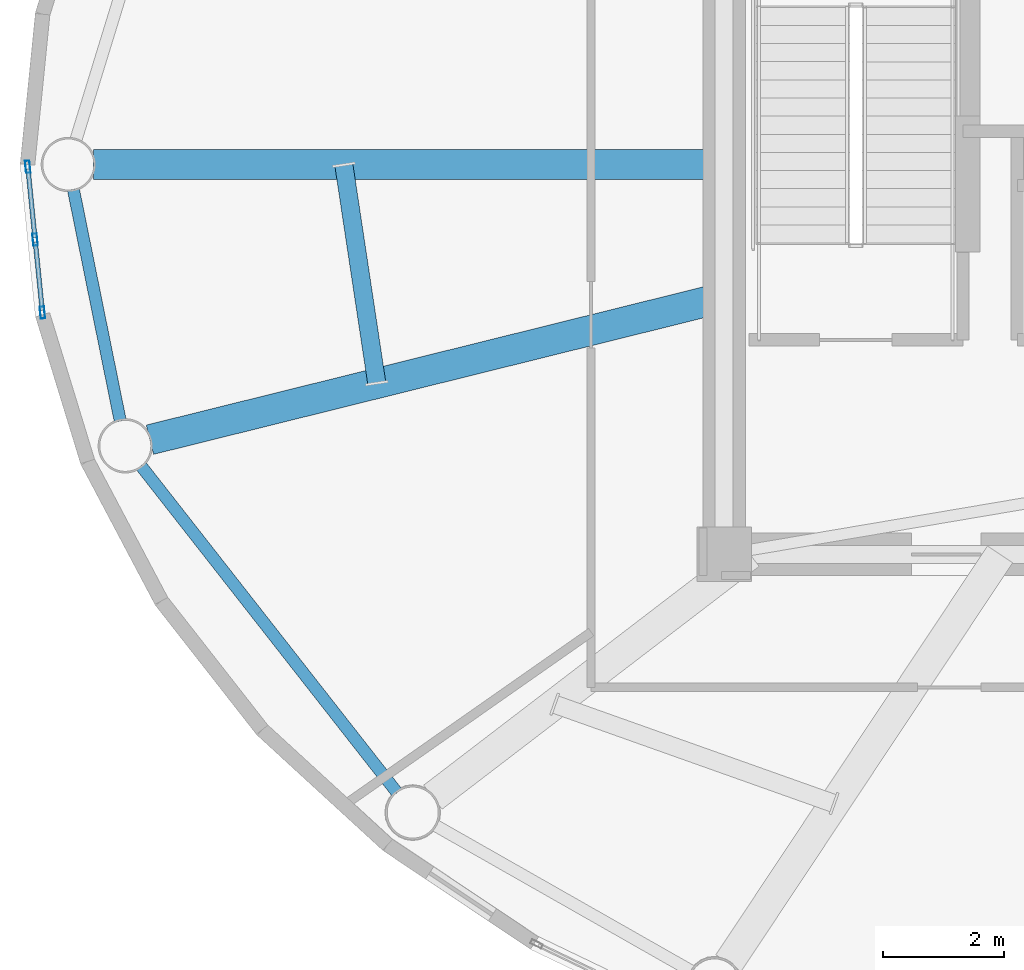
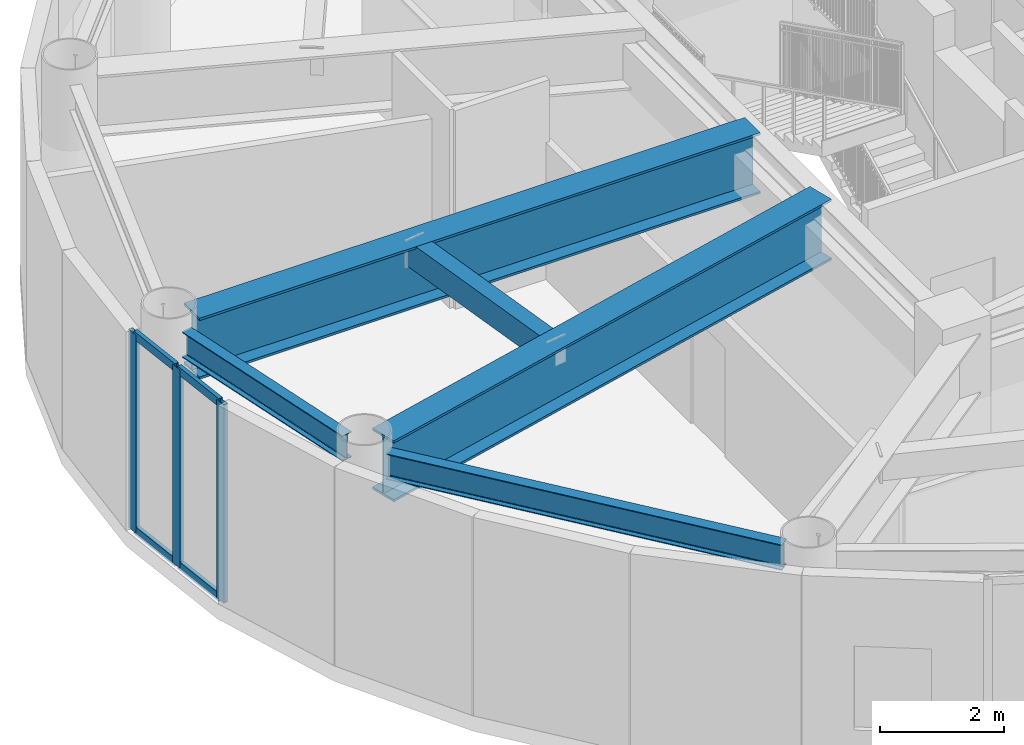
# One storey, part 4 of 26: 7 members, 5 beams, 1 element without a shape of its own.
"""IFC4 building model written with IfcOpenShell, lengths in metres."""

from ifc_helpers import new_model, si_unit, direction, frame, origin, origin_2d, place, context, subcontext, project, spatial, hollow_rectangle, i_section, extrude, source, transform, mapped, material, layer, layer_set, material_profile, profile_set, type_object, element, aggregate, save


model = new_model("IFC4")

# Units and contexts
model_context = context("Model", 3, precision=1e-05, world=origin(), true_north=direction((0.0, 1.0)))
body_context = subcontext(model_context, "Body", "Model", "MODEL_VIEW")
ifc_project = project(units=[si_unit("LENGTHUNIT", "METRE"), si_unit("AREAUNIT", "SQUARE_METRE"), si_unit("VOLUMEUNIT", "CUBIC_METRE"), si_unit("PLANEANGLEUNIT", "RADIAN"), si_unit("MASSUNIT", "GRAM", prefix="KILO")], contexts=[model_context])

# Site, building, storey
site_placement = place(None, origin())
site = spatial("IfcSite", under=ifc_project, at=site_placement, CompositionType="ELEMENT")
building_placement = place(site_placement, origin())
building = spatial("IfcBuilding", under=site, at=building_placement, Name="Linh Dai School and Residence Tower", CompositionType="ELEMENT")
storey_placement = place(building_placement, frame((0.0, 0.0, 346.800048828125)))
storey = spatial("IfcBuildingStorey", under=building, at=storey_placement, Name="L86", CompositionType="ELEMENT", Elevation=346.800048828125)

# Beams
ifc_material_1 = material(Name="Structural Steel S355JR", Category="steel")
ifc_material_profile_1 = material_profile(ifc_material_1, hollow_rectangle(XDim=0.300048828125, YDim=0.5, WallThickness=0.01611328125, at=origin_2d()), Name="RHS 500x300x16")
ifc_profile_set_1 = profile_set([ifc_material_profile_1], Name="Structural Steel S355JR")
beam_type_1 = type_object("IfcBeamType", Name="BM-BX5", PredefinedType="BEAM", material=ifc_profile_set_1)
beam_1_placement = place(storey_placement, frame((20.857666015625, 26.9951171875, 3.64990234375), z_axis=(0.149229268392, -0.988802622092, 0.0), x_axis=(0.988802622092, 0.149229268392, 0.0)))
element("IfcBeam", 1, at=beam_1_placement, inside=storey, type_object=beam_type_1, Name="L86 Secondary Circumferential Floor Beam 05", PredefinedType="BEAM", context=body_context, shape_type="SweptSolid", body=[
    extrude(hollow_rectangle(XDim=0.300048828125, YDim=0.5, WallThickness=0.01611328125, at=origin_2d()), origin(), (0.0, 0.0, 1.0), 3.6533203125),
])
ifc_material_profile_2 = material_profile(ifc_material_1, i_section(OverallWidth=0.199951171875, OverallDepth=0.5, WebThickness=0.01025390625, FlangeThickness=0.01611328125, FilletRadius=0.02099609375, at=origin_2d()), Name="IPE 500")
ifc_profile_set_2 = profile_set([ifc_material_profile_2], Name="Structural Steel S355JR")
beam_type_2 = type_object("IfcBeamType", Name="BM-RB50", PredefinedType="BEAM", material=ifc_profile_set_2)
beam_2_placement = place(storey_placement, frame((16.38330078125, 26.58837890625, 3.64990234375), z_axis=(0.198409502721, -0.980119211744, 0.0), x_axis=(0.980119211744, 0.198409502721, 0.0)))
element("IfcBeam", 2, at=beam_2_placement, inside=storey, type_object=beam_type_2, Name="L86 Perimeter Elliptical Ring Beam 09", PredefinedType="BEAM", context=body_context, shape_type="SweptSolid", body=[
    extrude(i_section(OverallWidth=0.199951171875, OverallDepth=0.5, WebThickness=0.01025390625, FlangeThickness=0.01611328125, FilletRadius=0.02099609375, at=origin_2d()), origin(), (0.0, 0.0, 1.0), 3.9091796875),
])
beam_3_placement = place(storey_placement, frame((17.501220703125, 22.0146484375, 3.64990234375), z_axis=(0.616844770958, -0.787084829318, 0.0), x_axis=(0.787084829318, 0.616844770958, 0.0)))
element("IfcBeam", 3, at=beam_3_placement, inside=storey, type_object=beam_type_2, Name="L86 Perimeter Elliptical Ring Beam 10", PredefinedType="BEAM", context=body_context, shape_type="SweptSolid", body=[
    extrude(i_section(OverallWidth=0.199951171875, OverallDepth=0.5, WebThickness=0.01025390625, FlangeThickness=0.01611328125, FilletRadius=0.02099609375, at=origin_2d()), origin(), (0.0, 0.0, 1.0), 6.869384765625),
])
ifc_material_profile_3 = material_profile(ifc_material_1, i_section(OverallWidth=0.5, OverallDepth=1.199951171875, WebThickness=0.02392578125, FlangeThickness=0.044921875, at=origin_2d()), Name="PG 1200x500x24x45")
ifc_profile_set_3 = profile_set([ifc_material_profile_3], Name="Structural Steel S355JR")
beam_type_3 = type_object("IfcBeamType", Name="BM-TG12", PredefinedType="BEAM", material=ifc_profile_set_3)
beam_4_placement = place(storey_placement, frame((27.14990234375, 27.0, 3.300048828125), z_axis=(-1.0, 0.0, 0.0), x_axis=(0.0, -1.0, 0.0)))
element("IfcBeam", 4, at=beam_4_placement, inside=storey, type_object=beam_type_3, Name="L86 Primary Radial Floor Girder 09", PredefinedType="BEAM", context=body_context, shape_type="SweptSolid", body=[
    extrude(i_section(OverallWidth=0.5, OverallDepth=1.199951171875, WebThickness=0.02392578125, FlangeThickness=0.044921875, at=origin_2d()), origin(), (0.0, 0.0, 1.0), 10.429931640625),
])
beam_5_placement = place(storey_placement, frame((27.14990234375, 24.803955078125, 3.300048828125), z_axis=(-0.970563583495, -0.24084503398, 0.0), x_axis=(0.24084503398, -0.970563583495, 0.0)))
element("IfcBeam", 5, at=beam_5_placement, inside=storey, type_object=beam_type_3, Name="L86 Primary Radial Floor Girder 10", PredefinedType="BEAM", context=body_context, shape_type="SweptSolid", body=[
    extrude(i_section(OverallWidth=0.5, OverallDepth=1.199951171875, WebThickness=0.02392578125, FlangeThickness=0.044921875, at=origin_2d()), origin(), (0.0, 0.0, 1.0), 9.7880859375),
])

# Curtain wall, members
ifc_material_2 = material(Name="Aluminium Anodised Curtain Wall", Category="aluminium")
ifc_layer = layer(ifc_material_2, 0.199951171875)
ifc_layer_set = layer_set([ifc_layer], Name="Aluminium Anodised Curtain Wall")
curtain_wall_type = type_object("IfcCurtainWallType", Name="CW-SYS-6", PredefinedType="USERDEFINED", material=ifc_layer_set)
curtain_wall_placement = place(storey_placement, origin())
curtain_wall = element("IfcCurtainWall", 6, at=curtain_wall_placement, inside=storey, type_object=curtain_wall_type, Name="L86 CW6 Curtain Wall 21", ObjectType="UNITISED CURTAIN WALL", PredefinedType="USERDEFINED")
ifc_material_3 = material(Name="Aluminium Alloy 6063-T6", Category="aluminium")
ifc_material_profile_4 = material_profile(ifc_material_3, hollow_rectangle(XDim=0.074951171875, YDim=0.199951171875, WallThickness=0.00390625, at=origin_2d()), Name="RHS 200x75x4")
ifc_profile_set_4 = profile_set([ifc_material_profile_4], Name="Aluminium Alloy 6063-T6")
member_type_1 = type_object("IfcMemberType", Name="CW-SYS-6-MUL", PredefinedType="MULLION", material=ifc_profile_set_4)
shared_shape_1 = source(origin(), body_context, "Body", "SweptSolid", [
    extrude(hollow_rectangle(XDim=0.074951171875, YDim=0.199951171875, WallThickness=0.00390625, at=origin_2d()), origin(), (0.0, 0.0, 1.0), 3.89990234375),
])
member_1_placement = place(storey_placement, frame((15.87109375, 24.550537109375, 0.0), z_axis=(0.0, 0.0, 1.0), x_axis=(-0.994988264886, -0.099991763355, 0.0)))
member_1 = element("IfcMember", 7, at=member_1_placement, type_object=member_type_1, Name="CW6 mullion 1", PredefinedType="MULLION", context=body_context, shape_type="MappedRepresentation", body=[
    mapped(shared_shape_1, transform((0.0, 0.0, 0.0), x_axis=(1.0, 0.0, 0.0), y_axis=(0.0, 1.0, 0.0), z_axis=(0.0, 0.0, 1.0), scale=1.0)),
])
member_2_placement = place(storey_placement, frame((15.75, 25.756591796875, 0.0), z_axis=(0.0, 0.0, 1.0), x_axis=(-0.994988264886, -0.099991763355, 0.0)))
member_2 = element("IfcMember", 8, at=member_2_placement, type_object=member_type_1, Name="CW6 mullion 2", PredefinedType="MULLION", context=body_context, shape_type="MappedRepresentation", body=[
    mapped(shared_shape_1, transform((0.0, 0.0, 0.0), x_axis=(1.0, 0.0, 0.0), y_axis=(0.0, 1.0, 0.0), z_axis=(0.0, 0.0, 1.0), scale=1.0)),
])
member_3_placement = place(storey_placement, frame((15.628662109375, 26.962646484375, 0.0), z_axis=(0.0, 0.0, 1.0), x_axis=(-0.994988264886, -0.099991763355, 0.0)))
member_3 = element("IfcMember", 9, at=member_3_placement, type_object=member_type_1, Name="CW6 mullion 3", PredefinedType="MULLION", context=body_context, shape_type="MappedRepresentation", body=[
    mapped(shared_shape_1, transform((0.0, 0.0, 0.0), x_axis=(1.0, 0.0, 0.0), y_axis=(0.0, 1.0, 0.0), z_axis=(0.0, 0.0, 1.0), scale=1.0)),
])
ifc_material_profile_5 = material_profile(ifc_material_3, hollow_rectangle(XDim=0.074951171875, YDim=0.159912109375, WallThickness=0.00390625, at=origin_2d()), Name="RHS 160x75x4")
ifc_profile_set_5 = profile_set([ifc_material_profile_5], Name="Aluminium Alloy 6063-T6")
member_type_2 = type_object("IfcMemberType", Name="CW-SYS-6-TRN", PredefinedType="USERDEFINED", material=ifc_profile_set_5)
shared_shape_2 = source(origin(), body_context, "Body", "SweptSolid", [
    extrude(hollow_rectangle(XDim=0.074951171875, YDim=0.159912109375, WallThickness=0.00390625, at=origin_2d()), origin(), (0.0, 0.0, 1.0), 1.136962890625),
])
member_4_placement = place(storey_placement, frame((15.867431640625, 24.587890625, 0.037353515625), z_axis=(-0.100056431161, 0.994981763945, 0.0), x_axis=(-0.994981763945, -0.100056431161, 0.0)))
member_4 = element("IfcMember", 10, at=member_4_placement, type_object=member_type_2, Name="CW6 transom 1.1", ObjectType="TRANSOM", PredefinedType="USERDEFINED", context=body_context, shape_type="MappedRepresentation", body=[
    mapped(shared_shape_2, transform((0.0, 0.0, 0.0), x_axis=(1.0, 0.0, 0.0), y_axis=(0.0, 1.0, 0.0), z_axis=(0.0, 0.0, 1.0), scale=1.0)),
])
member_5_placement = place(storey_placement, frame((15.867431640625, 24.587890625, 3.862548828125), z_axis=(-0.100056431161, 0.994981763945, 0.0), x_axis=(-0.994981763945, -0.100056431161, 0.0)))
member_5 = element("IfcMember", 11, at=member_5_placement, type_object=member_type_2, Name="CW6 transom 1.2", ObjectType="TRANSOM", PredefinedType="USERDEFINED", context=body_context, shape_type="MappedRepresentation", body=[
    mapped(shared_shape_2, transform((0.0, 0.0, 0.0), x_axis=(1.0, 0.0, 0.0), y_axis=(0.0, 1.0, 0.0), z_axis=(0.0, 0.0, 1.0), scale=1.0)),
])
member_6_placement = place(storey_placement, frame((15.74609375, 25.7939453125, 0.037353515625), z_axis=(-0.099843860502, 0.995003117342, 0.0), x_axis=(-0.995003117342, -0.099843860502, 0.0)))
member_6 = element("IfcMember", 12, at=member_6_placement, type_object=member_type_2, Name="CW6 transom 2.1", ObjectType="TRANSOM", PredefinedType="USERDEFINED", context=body_context, shape_type="MappedRepresentation", body=[
    mapped(shared_shape_2, transform((0.0, 0.0, 0.0), x_axis=(1.0, 0.0, 0.0), y_axis=(0.0, 1.0, 0.0), z_axis=(0.0, 0.0, 1.0), scale=1.0)),
])
member_7_placement = place(storey_placement, frame((15.74609375, 25.7939453125, 3.862548828125), z_axis=(-0.099843860502, 0.995003117342, 0.0), x_axis=(-0.995003117342, -0.099843860502, 0.0)))
member_7 = element("IfcMember", 13, at=member_7_placement, type_object=member_type_2, Name="CW6 transom 2.2", ObjectType="TRANSOM", PredefinedType="USERDEFINED", context=body_context, shape_type="MappedRepresentation", body=[
    mapped(shared_shape_2, transform((0.0, 0.0, 0.0), x_axis=(1.0, 0.0, 0.0), y_axis=(0.0, 1.0, 0.0), z_axis=(0.0, 0.0, 1.0), scale=1.0)),
])
aggregate(curtain_wall, [member_1, member_2, member_3, member_4, member_5, member_6, member_7])

save(model, "model.ifc")
